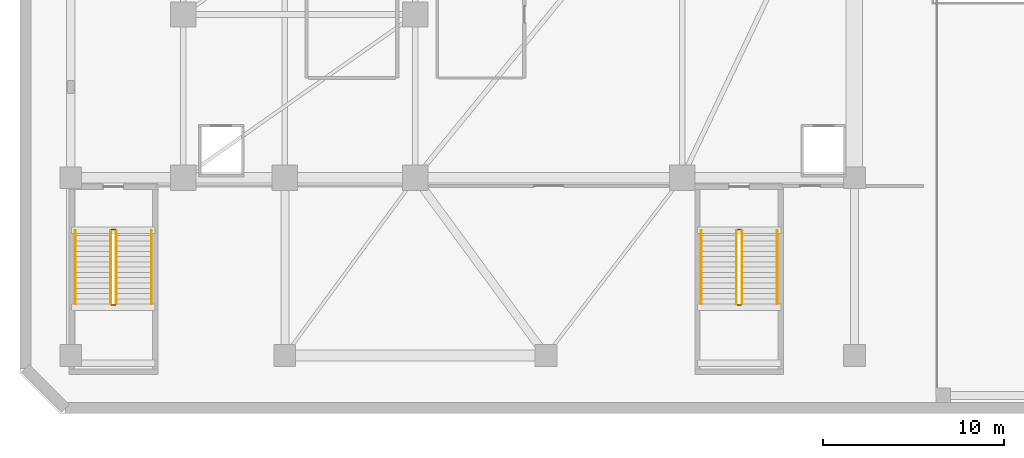
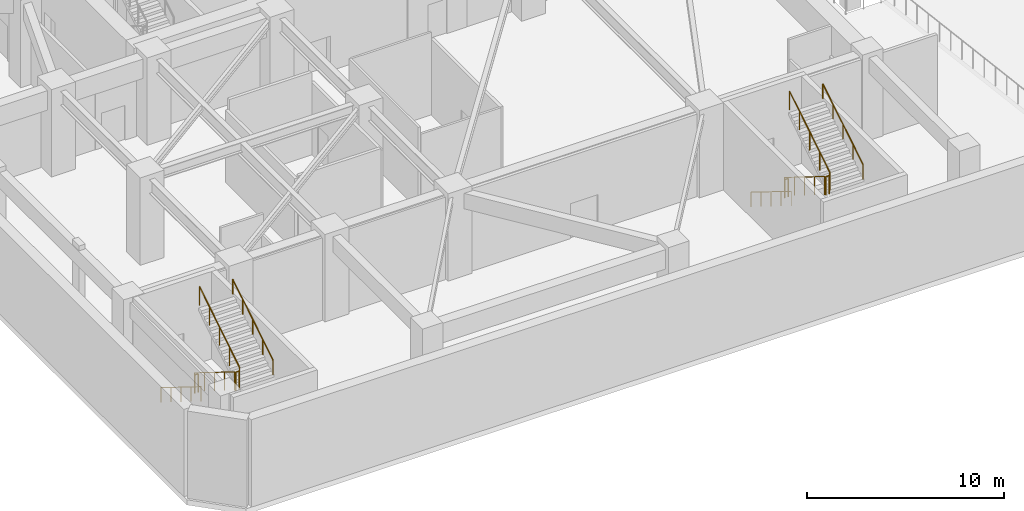
# One storey, part 6 of 9: 12 railings.
"""IFC4 building model written with IfcOpenShell, lengths in metres."""

from ifc_helpers import new_model, si_unit, direction, frame, origin, origin_2d, place, context, subcontext, project, spatial, circle, extrude, material, type_object, element, save


model = new_model("IFC4")

# Units and contexts
model_context = context("Model", 3, precision=1e-05, world=origin(), true_north=direction((0.0, 1.0)))
body_context = subcontext(model_context, "Body", "Model", "MODEL_VIEW")
ifc_project = project(units=[si_unit("LENGTHUNIT", "METRE"), si_unit("AREAUNIT", "SQUARE_METRE"), si_unit("VOLUMEUNIT", "CUBIC_METRE"), si_unit("PLANEANGLEUNIT", "RADIAN"), si_unit("MASSUNIT", "GRAM", prefix="KILO")], contexts=[model_context])

# Site, building, storey
site_placement = place(None, origin())
site = spatial("IfcSite", under=ifc_project, at=site_placement, CompositionType="ELEMENT")
building_placement = place(site_placement, origin())
building = spatial("IfcBuilding", under=site, at=building_placement, Name="Calvemar Wedge Station Tower", CompositionType="ELEMENT")
storey_placement = place(building_placement, frame((0.0, 0.0, -5.39990234375)))
storey = spatial("IfcBuildingStorey", under=building, at=storey_placement, Name="B01", CompositionType="ELEMENT", Elevation=-5.39990234375)

# Railings
ifc_material_1 = material(Name="Stainless steel AISI 316L", Category="steel")
railing_type_1 = type_object("IfcRailingType", Name="RL-HANDRAIL-920", PredefinedType="HANDRAIL", material=ifc_material_1)
railing_1_placement = place(storey_placement, frame((5.050048828125, 12.10009765625, 0.179931640625)))
element("IfcRailing", 1, at=railing_1_placement, inside=storey, type_object=railing_type_1, Name="B01 ST-P1 stair handrail 1", PredefinedType="HANDRAIL", context=body_context, shape_type="SweptSolid", body=[
    extrude(circle(Radius=0.02392578125, at=origin_2d()), frame((0.0, 0.0, 0.89599609375), z_axis=(0.0, -0.849641744969, 0.527360318194), x_axis=(1.0, 0.0, 0.0)), (0.0, 0.0, 1.0), 4.778564453125),
    extrude(circle(Radius=0.02099609375, at=origin_2d()), origin(), (0.0, 0.0, 1.0), 0.871826171875),
    extrude(circle(Radius=0.02099609375, at=origin_2d()), frame((0.0, -1.01513671875, 0.6298828125)), (0.0, 0.0, 1.0), 0.871826171875),
    extrude(circle(Radius=0.02099609375, at=origin_2d()), frame((0.0, -2.030029296875, 1.260009765625)), (0.0, 0.0, 1.0), 0.871826171875),
    extrude(circle(Radius=0.02099609375, at=origin_2d()), frame((0.0, -3.044921875, 1.89013671875)), (0.0, 0.0, 1.0), 0.871826171875),
    extrude(circle(Radius=0.02099609375, at=origin_2d()), frame((0.0, -4.06005859375, 2.52001953125)), (0.0, 0.0, 1.0), 0.871826171875),
])
railing_2_placement = place(storey_placement, frame((9.25, 8.0400390625, 2.8798828125)))
element("IfcRailing", 2, at=railing_2_placement, inside=storey, type_object=railing_type_1, Name="B01 ST-P1 stair handrail 2", PredefinedType="HANDRAIL", context=body_context, shape_type="SweptSolid", body=[
    extrude(circle(Radius=0.02392578125, at=origin_2d()), frame((0.0, 0.0, 0.89599609375), z_axis=(0.0, 0.849641744969, 0.527360318194), x_axis=(-1.0, 0.0, 0.0)), (0.0, 0.0, 1.0), 4.778564453125),
    extrude(circle(Radius=0.02099609375, at=origin_2d()), origin(), (0.0, 0.0, 1.0), 0.871826171875),
    extrude(circle(Radius=0.02099609375, at=origin_2d()), frame((0.0, 1.01513671875, 0.6298828125)), (0.0, 0.0, 1.0), 0.871826171875),
    extrude(circle(Radius=0.02099609375, at=origin_2d()), frame((0.0, 2.030029296875, 1.260009765625)), (0.0, 0.0, 1.0), 0.871826171875),
    extrude(circle(Radius=0.02099609375, at=origin_2d()), frame((0.0, 3.044921875, 1.89013671875)), (0.0, 0.0, 1.0), 0.871826171875),
    extrude(circle(Radius=0.02099609375, at=origin_2d()), frame((0.0, 4.06005859375, 2.52001953125)), (0.0, 0.0, 1.0), 0.871826171875),
])
railing_3_placement = place(storey_placement, frame((39.550048828125, 12.10009765625, 0.179931640625)))
element("IfcRailing", 3, at=railing_3_placement, inside=storey, type_object=railing_type_1, Name="B01 ST-P2 stair handrail 1", PredefinedType="HANDRAIL", context=body_context, shape_type="SweptSolid", body=[
    extrude(circle(Radius=0.02392578125, at=origin_2d()), frame((0.0, 0.0, 0.89599609375), z_axis=(0.0, -0.849641744969, 0.527360318194), x_axis=(1.0, 0.0, 0.0)), (0.0, 0.0, 1.0), 4.778564453125),
    extrude(circle(Radius=0.02099609375, at=origin_2d()), origin(), (0.0, 0.0, 1.0), 0.871826171875),
    extrude(circle(Radius=0.02099609375, at=origin_2d()), frame((0.0, -1.01513671875, 0.6298828125)), (0.0, 0.0, 1.0), 0.871826171875),
    extrude(circle(Radius=0.02099609375, at=origin_2d()), frame((0.0, -2.030029296875, 1.260009765625)), (0.0, 0.0, 1.0), 0.871826171875),
    extrude(circle(Radius=0.02099609375, at=origin_2d()), frame((0.0, -3.044921875, 1.89013671875)), (0.0, 0.0, 1.0), 0.871826171875),
    extrude(circle(Radius=0.02099609375, at=origin_2d()), frame((0.0, -4.06005859375, 2.52001953125)), (0.0, 0.0, 1.0), 0.871826171875),
])
railing_4_placement = place(storey_placement, frame((43.75, 8.0400390625, 2.8798828125)))
element("IfcRailing", 4, at=railing_4_placement, inside=storey, type_object=railing_type_1, Name="B01 ST-P2 stair handrail 2", PredefinedType="HANDRAIL", context=body_context, shape_type="SweptSolid", body=[
    extrude(circle(Radius=0.02392578125, at=origin_2d()), frame((0.0, 0.0, 0.89599609375), z_axis=(0.0, 0.849641744969, 0.527360318194), x_axis=(-1.0, 0.0, 0.0)), (0.0, 0.0, 1.0), 4.778564453125),
    extrude(circle(Radius=0.02099609375, at=origin_2d()), origin(), (0.0, 0.0, 1.0), 0.871826171875),
    extrude(circle(Radius=0.02099609375, at=origin_2d()), frame((0.0, 1.01513671875, 0.6298828125)), (0.0, 0.0, 1.0), 0.871826171875),
    extrude(circle(Radius=0.02099609375, at=origin_2d()), frame((0.0, 2.030029296875, 1.260009765625)), (0.0, 0.0, 1.0), 0.871826171875),
    extrude(circle(Radius=0.02099609375, at=origin_2d()), frame((0.0, 3.044921875, 1.89013671875)), (0.0, 0.0, 1.0), 0.871826171875),
    extrude(circle(Radius=0.02099609375, at=origin_2d()), frame((0.0, 4.06005859375, 2.52001953125)), (0.0, 0.0, 1.0), 0.871826171875),
])
ifc_material_2 = material(Name="Painted steel guardrail ASTM A500 Grade C", Category="steel")
railing_type_2 = type_object("IfcRailingType", Name="RL-STAIR-GUARD-1150", PredefinedType="GUARDRAIL", material=ifc_material_2)
railing_5_placement = place(storey_placement, frame((7.0, 12.10009765625, 0.179931640625)))
element("IfcRailing", 5, at=railing_5_placement, inside=storey, type_object=railing_type_2, Name="B01 ST-P1 stair guard 1", PredefinedType="GUARDRAIL", context=body_context, shape_type="SweptSolid", body=[
    extrude(circle(Radius=0.02392578125, at=origin_2d()), frame((0.0, 0.0, 1.1259765625), z_axis=(0.0, -0.849641744969, 0.527360318194), x_axis=(1.0, 0.0, 0.0)), (0.0, 0.0, 1.0), 4.778564453125),
    extrude(circle(Radius=0.02099609375, at=origin_2d()), origin(), (0.0, 0.0, 1.0), 1.101806640625),
    extrude(circle(Radius=0.02099609375, at=origin_2d()), frame((0.0, -1.01513671875, 0.6298828125)), (0.0, 0.0, 1.0), 1.101806640625),
    extrude(circle(Radius=0.02099609375, at=origin_2d()), frame((0.0, -2.030029296875, 1.260009765625)), (0.0, 0.0, 1.0), 1.101806640625),
    extrude(circle(Radius=0.02099609375, at=origin_2d()), frame((0.0, -3.044921875, 1.89013671875)), (0.0, 0.0, 1.0), 1.101806640625),
    extrude(circle(Radius=0.02099609375, at=origin_2d()), frame((0.0, -4.06005859375, 2.52001953125)), (0.0, 0.0, 1.0), 1.101806640625),
])
railing_6_placement = place(storey_placement, frame((7.050048828125, 7.989990234375, 2.699951171875)))
element("IfcRailing", 6, at=railing_6_placement, inside=storey, type_object=railing_type_2, Name="B01 ST-P1 stair guard 2", PredefinedType="GUARDRAIL", context=body_context, shape_type="SweptSolid", body=[
    extrude(circle(Radius=0.02392578125, at=origin_2d()), frame((0.0, 0.0, 1.1259765625), z_axis=(1.0, 0.0, 0.0), x_axis=(0.0, 1.0, 0.0)), (0.0, 0.0, 1.0), 0.199951171875),
    extrude(circle(Radius=0.02099609375, at=origin_2d()), origin(), (0.0, 0.0, 1.0), 1.101806640625),
    extrude(circle(Radius=0.02099609375, at=origin_2d()), frame((0.199951171875, 0.0, 0.0)), (0.0, 0.0, 1.0), 1.101806640625),
])
railing_7_placement = place(storey_placement, frame((7.300048828125, 8.0400390625, 2.8798828125)))
element("IfcRailing", 7, at=railing_7_placement, inside=storey, type_object=railing_type_2, Name="B01 ST-P1 stair guard 3", PredefinedType="GUARDRAIL", context=body_context, shape_type="SweptSolid", body=[
    extrude(circle(Radius=0.02392578125, at=origin_2d()), frame((0.0, 0.0, 1.1259765625), z_axis=(0.0, 0.849641744969, 0.527360318194), x_axis=(-1.0, 0.0, 0.0)), (0.0, 0.0, 1.0), 4.778564453125),
    extrude(circle(Radius=0.02099609375, at=origin_2d()), origin(), (0.0, 0.0, 1.0), 1.101806640625),
    extrude(circle(Radius=0.02099609375, at=origin_2d()), frame((0.0, 1.01513671875, 0.6298828125)), (0.0, 0.0, 1.0), 1.101806640625),
    extrude(circle(Radius=0.02099609375, at=origin_2d()), frame((0.0, 2.030029296875, 1.260009765625)), (0.0, 0.0, 1.0), 1.101806640625),
    extrude(circle(Radius=0.02099609375, at=origin_2d()), frame((0.0, 3.044921875, 1.89013671875)), (0.0, 0.0, 1.0), 1.101806640625),
    extrude(circle(Radius=0.02099609375, at=origin_2d()), frame((0.0, 4.06005859375, 2.52001953125)), (0.0, 0.0, 1.0), 1.101806640625),
])
railing_8_placement = place(storey_placement, frame((7.050048828125, 12.14990234375, 0.0)))
element("IfcRailing", 8, at=railing_8_placement, inside=storey, type_object=railing_type_2, Name="B01 ST-P1 stair guard 4", PredefinedType="GUARDRAIL", context=body_context, shape_type="SweptSolid", body=[
    extrude(circle(Radius=0.02392578125, at=origin_2d()), frame((0.0, 0.0, 1.1259765625), z_axis=(1.0, 0.0, 0.0), x_axis=(0.0, 1.0, 0.0)), (0.0, 0.0, 1.0), 0.199951171875),
    extrude(circle(Radius=0.02099609375, at=origin_2d()), origin(), (0.0, 0.0, 1.0), 1.101806640625),
    extrude(circle(Radius=0.02099609375, at=origin_2d()), frame((0.199951171875, 0.0, 0.0)), (0.0, 0.0, 1.0), 1.101806640625),
])
railing_9_placement = place(storey_placement, frame((41.5, 12.10009765625, 0.179931640625)))
element("IfcRailing", 9, at=railing_9_placement, inside=storey, type_object=railing_type_2, Name="B01 ST-P2 stair guard 1", PredefinedType="GUARDRAIL", context=body_context, shape_type="SweptSolid", body=[
    extrude(circle(Radius=0.02392578125, at=origin_2d()), frame((0.0, 0.0, 1.1259765625), z_axis=(0.0, -0.849641744969, 0.527360318194), x_axis=(1.0, 0.0, 0.0)), (0.0, 0.0, 1.0), 4.778564453125),
    extrude(circle(Radius=0.02099609375, at=origin_2d()), origin(), (0.0, 0.0, 1.0), 1.101806640625),
    extrude(circle(Radius=0.02099609375, at=origin_2d()), frame((0.0, -1.01513671875, 0.6298828125)), (0.0, 0.0, 1.0), 1.101806640625),
    extrude(circle(Radius=0.02099609375, at=origin_2d()), frame((0.0, -2.030029296875, 1.260009765625)), (0.0, 0.0, 1.0), 1.101806640625),
    extrude(circle(Radius=0.02099609375, at=origin_2d()), frame((0.0, -3.044921875, 1.89013671875)), (0.0, 0.0, 1.0), 1.101806640625),
    extrude(circle(Radius=0.02099609375, at=origin_2d()), frame((0.0, -4.06005859375, 2.52001953125)), (0.0, 0.0, 1.0), 1.101806640625),
])
railing_10_placement = place(storey_placement, frame((41.550048828125, 7.989990234375, 2.699951171875)))
element("IfcRailing", 10, at=railing_10_placement, inside=storey, type_object=railing_type_2, Name="B01 ST-P2 stair guard 2", PredefinedType="GUARDRAIL", context=body_context, shape_type="SweptSolid", body=[
    extrude(circle(Radius=0.02392578125, at=origin_2d()), frame((0.0, 0.0, 1.1259765625), z_axis=(1.0, 0.0, 0.0), x_axis=(0.0, 1.0, 0.0)), (0.0, 0.0, 1.0), 0.199951171875),
    extrude(circle(Radius=0.02099609375, at=origin_2d()), origin(), (0.0, 0.0, 1.0), 1.101806640625),
    extrude(circle(Radius=0.02099609375, at=origin_2d()), frame((0.199951171875, 0.0, 0.0)), (0.0, 0.0, 1.0), 1.101806640625),
])
railing_11_placement = place(storey_placement, frame((41.800048828125, 8.0400390625, 2.8798828125)))
element("IfcRailing", 11, at=railing_11_placement, inside=storey, type_object=railing_type_2, Name="B01 ST-P2 stair guard 3", PredefinedType="GUARDRAIL", context=body_context, shape_type="SweptSolid", body=[
    extrude(circle(Radius=0.02392578125, at=origin_2d()), frame((0.0, 0.0, 1.1259765625), z_axis=(0.0, 0.849641744969, 0.527360318194), x_axis=(-1.0, 0.0, 0.0)), (0.0, 0.0, 1.0), 4.778564453125),
    extrude(circle(Radius=0.02099609375, at=origin_2d()), origin(), (0.0, 0.0, 1.0), 1.101806640625),
    extrude(circle(Radius=0.02099609375, at=origin_2d()), frame((0.0, 1.01513671875, 0.6298828125)), (0.0, 0.0, 1.0), 1.101806640625),
    extrude(circle(Radius=0.02099609375, at=origin_2d()), frame((0.0, 2.030029296875, 1.260009765625)), (0.0, 0.0, 1.0), 1.101806640625),
    extrude(circle(Radius=0.02099609375, at=origin_2d()), frame((0.0, 3.044921875, 1.89013671875)), (0.0, 0.0, 1.0), 1.101806640625),
    extrude(circle(Radius=0.02099609375, at=origin_2d()), frame((0.0, 4.06005859375, 2.52001953125)), (0.0, 0.0, 1.0), 1.101806640625),
])
railing_12_placement = place(storey_placement, frame((41.550048828125, 12.14990234375, 0.0)))
element("IfcRailing", 12, at=railing_12_placement, inside=storey, type_object=railing_type_2, Name="B01 ST-P2 stair guard 4", PredefinedType="GUARDRAIL", context=body_context, shape_type="SweptSolid", body=[
    extrude(circle(Radius=0.02392578125, at=origin_2d()), frame((0.0, 0.0, 1.1259765625), z_axis=(1.0, 0.0, 0.0), x_axis=(0.0, 1.0, 0.0)), (0.0, 0.0, 1.0), 0.199951171875),
    extrude(circle(Radius=0.02099609375, at=origin_2d()), origin(), (0.0, 0.0, 1.0), 1.101806640625),
    extrude(circle(Radius=0.02099609375, at=origin_2d()), frame((0.199951171875, 0.0, 0.0)), (0.0, 0.0, 1.0), 1.101806640625),
])

save(model, "model.ifc")
